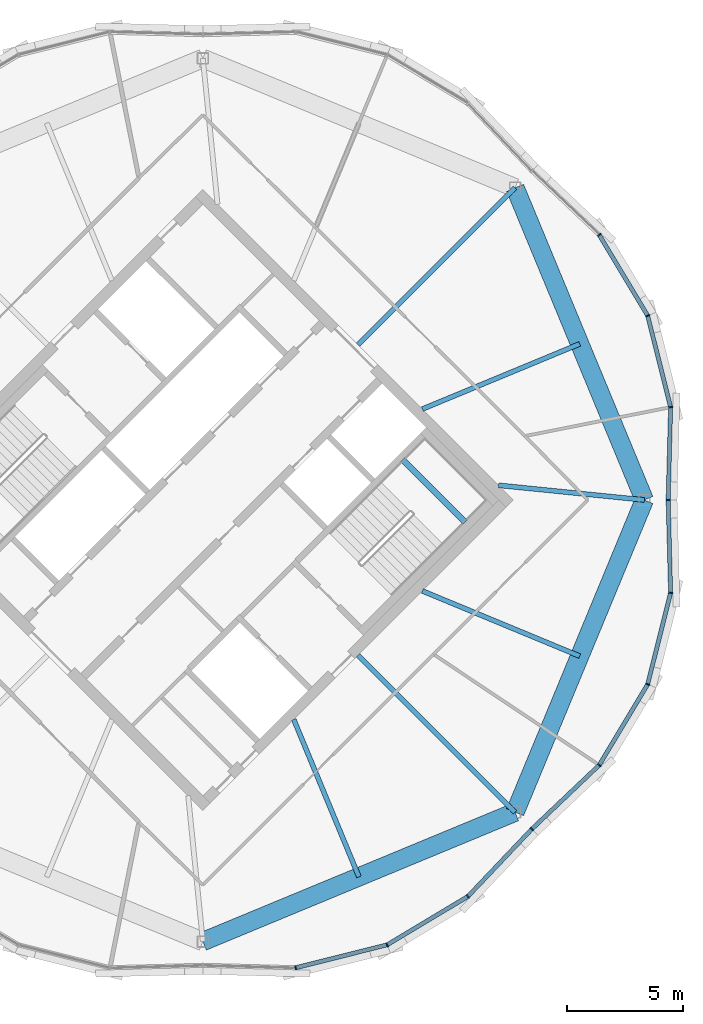
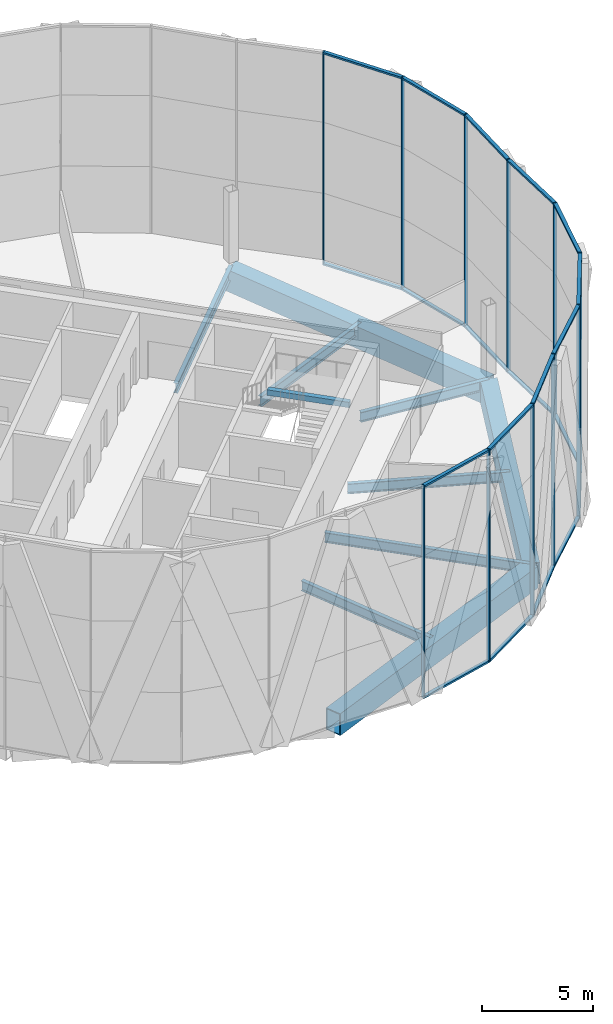
# One storey, part 10 of 22: 31 members, 10 beams, 3 elements without a shape of their own.
"""IFC4 building model written with IfcOpenShell, lengths in metres."""

from ifc_helpers import new_model, si_unit, direction, frame, origin, origin_2d, place, context, subcontext, project, spatial, rectangle, hollow_rectangle, i_section, extrude, material, material_profile, profile_set, type_object, element, aggregate, save


model = new_model("IFC4")

# Units and contexts
model_context = context("Model", 3, precision=1e-05, world=origin(), true_north=direction((0.0, 1.0)))
body_context = subcontext(model_context, "Body", "Model", "MODEL_VIEW")
ifc_project = project(units=[si_unit("LENGTHUNIT", "METRE"), si_unit("AREAUNIT", "SQUARE_METRE"), si_unit("VOLUMEUNIT", "CUBIC_METRE"), si_unit("PLANEANGLEUNIT", "RADIAN"), si_unit("MASSUNIT", "GRAM", prefix="KILO")], contexts=[model_context])

# Site, building, storey
site_placement = place(None, origin())
site = spatial("IfcSite", under=ifc_project, at=site_placement, CompositionType="ELEMENT")
building_placement = place(site_placement, origin())
building = spatial("IfcBuilding", under=site, at=building_placement, Name="Ogive Gate Towers", CompositionType="ELEMENT")
storey_placement = place(building_placement, frame((0.0, 0.0, 228.89990234375)))
storey = spatial("IfcBuildingStorey", under=building, at=storey_placement, Name="L54", CompositionType="ELEMENT", Elevation=228.89990234375)

# Beams
ifc_material_1 = material(Name="Steel SM460", Category="steel")
ifc_material_profile_1 = material_profile(ifc_material_1, hollow_rectangle(XDim=0.800048828125, YDim=1.199951171875, WallThickness=0.050048828125, at=origin_2d()), Name="BX 1200x800x50")
ifc_profile_set_1 = profile_set([ifc_material_profile_1], Name="Steel SM460")
beam_type_1 = type_object("IfcBeamType", Name="Edge girder BX 1200x800x50", PredefinedType="BEAM", material=ifc_profile_set_1)
for number, where, z_axis, x_axis, name in (
    (1, (36.0, -19.110107421875, -0.89990234375), (0.923872994947, 0.38269921506, 0.0), (-0.38269921506, 0.923872994947, 0.0), "T2/L54/SBM018"),
    (2, (49.5126953125, -13.5126953125, -0.89990234375), (0.38269921506, 0.923872994947, 0.0), (-0.923872994947, 0.38269921506, 0.0), "T2/L54/SBM019"),
    (3, (55.110107421875, 0.0, -0.89990234375), (-0.38269921506, 0.923872994947, 0.0), (-0.923872994947, -0.38269921506, 0.0), "T2/L54/SBM020"),
):
    element("IfcBeam", number, at=place(storey_placement, frame(where, z_axis=z_axis, x_axis=x_axis)), inside=storey, type_object=beam_type_1, Name=name, PredefinedType="BEAM", context=body_context, shape_type="SweptSolid", body=[
        extrude(hollow_rectangle(XDim=0.800048828125, YDim=1.199951171875, WallThickness=0.050048828125, at=origin_2d()), origin(), (0.0, 0.0, 1.0), 14.626220703125),
    ])
ifc_material_2 = material(Name="Concrete C40/50", Category="concrete")
ifc_material_profile_2 = material_profile(ifc_material_2, rectangle(XDim=0.25, YDim=0.300048828125, at=origin_2d()), Name="RC 250x300")
ifc_profile_set_2 = profile_set([ifc_material_profile_2], Name="Concrete C40/50")
beam_type_2 = type_object("IfcBeamType", Name="Landing bearer RC 250x300", PredefinedType="BEAM", material=ifc_profile_set_2)
beam_1_placement = place(storey_placement, frame((47.349609375, -0.9541015625, 1.60009765625), z_axis=(-0.707106781187, 0.707106781187, 0.0), x_axis=(-0.707106781187, -0.707106781187, 0.0)))
element("IfcBeam", 4, at=beam_1_placement, inside=storey, type_object=beam_type_2, Name="T2 L54 stair 2 landing bearer 1", PredefinedType="BEAM", context=body_context, shape_type="SweptSolid", body=[
    extrude(rectangle(XDim=0.25, YDim=0.300048828125, at=origin_2d()), origin(), (0.0, 0.0, 1.0), 3.824951171875),
])
ifc_material_3 = material(Name="Steel SM355", Category="steel")
ifc_material_profile_3 = material_profile(ifc_material_3, i_section(OverallWidth=0.2099609375, OverallDepth=0.550048828125, WebThickness=0.010986328125, FlangeThickness=0.01708984375, FilletRadius=0.02392578125, at=origin_2d()), Name="IPE 550")
ifc_profile_set_3 = profile_set([ifc_material_profile_3], Name="Steel SM355")
beam_type_3 = type_object("IfcBeamType", Name="Radial floor beam IPE 550", PredefinedType="BEAM", material=ifc_profile_set_3)
beam_2_placement = place(storey_placement, frame((39.93505859375, -9.5, -0.574951171875), z_axis=(0.382667649558, -0.923886069806, 0.0), x_axis=(0.923886069806, 0.382667649558, 0.0)))
element("IfcBeam", 5, at=beam_2_placement, inside=storey, type_object=beam_type_3, Name="T2/L54/SBM004", PredefinedType="BEAM", context=body_context, shape_type="SweptSolid", body=[
    extrude(i_section(OverallWidth=0.2099609375, OverallDepth=0.550048828125, WebThickness=0.010986328125, FlangeThickness=0.01708984375, FilletRadius=0.02392578125, at=origin_2d()), origin(), (0.0, 0.0, 1.0), 7.372802734375),
])
beam_3_placement = place(storey_placement, frame((42.717529296875, -6.717529296875, -0.574951171875), z_axis=(0.707106781187, -0.707106781187, 0.0), x_axis=(0.707106781187, 0.707106781187, 0.0)))
element("IfcBeam", 6, at=beam_3_placement, inside=storey, type_object=beam_type_3, Name="T2/L54/SBM005", PredefinedType="BEAM", context=body_context, shape_type="SweptSolid", body=[
    extrude(i_section(OverallWidth=0.2099609375, OverallDepth=0.550048828125, WebThickness=0.010986328125, FlangeThickness=0.01708984375, FilletRadius=0.02392578125, at=origin_2d()), origin(), (0.0, 0.0, 1.0), 9.60986328125),
])
beam_4_placement = place(storey_placement, frame((45.5, -3.93505859375, -0.574951171875), z_axis=(0.923886069806, -0.382667649558, 0.0), x_axis=(0.382667649558, 0.923886069806, 0.0)))
element("IfcBeam", 7, at=beam_4_placement, inside=storey, type_object=beam_type_3, Name="T2/L54/SBM006", PredefinedType="BEAM", context=body_context, shape_type="SweptSolid", body=[
    extrude(i_section(OverallWidth=0.2099609375, OverallDepth=0.550048828125, WebThickness=0.010986328125, FlangeThickness=0.01708984375, FilletRadius=0.02392578125, at=origin_2d()), origin(), (0.0, 0.0, 1.0), 7.372802734375),
])
beam_5_placement = place(storey_placement, frame((48.798583984375, 0.636474609375, -0.574951171875), z_axis=(0.994953773522, -0.100334383706, 0.0), x_axis=(0.100334383706, 0.994953773522, 0.0)))
element("IfcBeam", 8, at=beam_5_placement, inside=storey, type_object=beam_type_3, Name="T2/L54/SBM007", PredefinedType="BEAM", context=body_context, shape_type="SweptSolid", body=[
    extrude(i_section(OverallWidth=0.2099609375, OverallDepth=0.550048828125, WebThickness=0.010986328125, FlangeThickness=0.01708984375, FilletRadius=0.02392578125, at=origin_2d()), origin(), (0.0, 0.0, 1.0), 6.343505859375),
])
beam_6_placement = place(storey_placement, frame((45.5, 3.93505859375, -0.574951171875), z_axis=(0.923886069806, 0.382667649558, 0.0), x_axis=(-0.382667649558, 0.923886069806, 0.0)))
element("IfcBeam", 9, at=beam_6_placement, inside=storey, type_object=beam_type_3, Name="T2/L54/SBM008", PredefinedType="BEAM", context=body_context, shape_type="SweptSolid", body=[
    extrude(i_section(OverallWidth=0.2099609375, OverallDepth=0.550048828125, WebThickness=0.010986328125, FlangeThickness=0.01708984375, FilletRadius=0.02392578125, at=origin_2d()), origin(), (0.0, 0.0, 1.0), 7.372802734375),
])
beam_7_placement = place(storey_placement, frame((42.717529296875, 6.717529296875, -0.574951171875), z_axis=(0.707106781187, 0.707106781187, 0.0), x_axis=(-0.707106781187, 0.707106781187, 0.0)))
element("IfcBeam", 10, at=beam_7_placement, inside=storey, type_object=beam_type_3, Name="T2/L54/SBM009", PredefinedType="BEAM", context=body_context, shape_type="SweptSolid", body=[
    extrude(i_section(OverallWidth=0.2099609375, OverallDepth=0.550048828125, WebThickness=0.010986328125, FlangeThickness=0.01708984375, FilletRadius=0.02392578125, at=origin_2d()), origin(), (0.0, 0.0, 1.0), 9.60986328125),
])

# Curtain wall, members
ifc_material_4 = material(Name="Pale metal aluminium", Category="aluminium")
curtain_wall_type = type_object("IfcCurtainWallType", Name="Tower unitised wall, high zone", PredefinedType="NOTDEFINED", material=ifc_material_4)
curtain_wall_1_placement = place(storey_placement, origin())
curtain_wall_1 = element("IfcCurtainWall", 11, at=curtain_wall_1_placement, inside=storey, type_object=curtain_wall_type, Name="CW2 T2 ECW01", PredefinedType="NOTDEFINED")
ifc_material_profile_4 = material_profile(ifc_material_4, rectangle(XDim=0.179931640625, YDim=0.06005859375, at=origin_2d()), Name="60 x 180 aluminium box")
ifc_profile_set_4 = profile_set([ifc_material_profile_4], Name="Pale metal aluminium")
member_type_1 = type_object("IfcMemberType", Name="Tower unitised wall, high zone mullion 60 x 180", PredefinedType="MULLION", material=ifc_profile_set_4)
member_1_placement = place(storey_placement, frame((56.139892578125, 0.000244140625, -0.2998046875), z_axis=(0.0, 0.0, 1.0), x_axis=(0.999655952983, -0.026229290207, 0.0)))
member_1 = element("IfcMember", 12, at=member_1_placement, type_object=member_type_1, Name="CW2 mullion", PredefinedType="MULLION", context=body_context, shape_type="SweptSolid", body=[
    extrude(rectangle(XDim=0.179931640625, YDim=0.06005859375, at=origin_2d()), origin(), (0.0, 0.0, 1.0), 11.699951171875),
])
member_2_placement = place(storey_placement, frame((56.24560546875, 4.01904296875, -0.2998046875), z_axis=(0.0, 0.0, 1.0), x_axis=(0.994001108417, 0.109369998011, 0.0)))
member_2 = element("IfcMember", 13, at=member_2_placement, type_object=member_type_1, Name="CW2 mullion", PredefinedType="MULLION", context=body_context, shape_type="SweptSolid", body=[
    extrude(rectangle(XDim=0.179931640625, YDim=0.06005859375, at=origin_2d()), origin(), (0.0, 0.0, 1.0), 11.699951171875),
])
member_3_placement = place(storey_placement, frame((55.254638671875, 7.9755859375, -0.2998046875), z_axis=(0.0, 0.0, 1.0), x_axis=(0.923872853285, 0.382699557047, 0.0)))
member_3 = element("IfcMember", 14, at=member_3_placement, type_object=member_type_1, Name="CW2 mullion", PredefinedType="MULLION", context=body_context, shape_type="SweptSolid", body=[
    extrude(rectangle(XDim=0.179931640625, YDim=0.06005859375, at=origin_2d()), origin(), (0.0, 0.0, 1.0), 11.699951171875),
])
member_4_placement = place(storey_placement, frame((53.15771484375, 11.473876953125, -0.2998046875), z_axis=(0.0, 0.0, 1.0), x_axis=(0.780201191521, 0.625528657017, 0.0)))
member_4 = element("IfcMember", 15, at=member_4_placement, type_object=member_type_1, Name="CW2 mullion", PredefinedType="MULLION", context=body_context, shape_type="SweptSolid", body=[
    extrude(rectangle(XDim=0.179931640625, YDim=0.06005859375, at=origin_2d()), origin(), (0.0, 0.0, 1.0), 11.699951171875),
])

curtain_wall_2_placement = place(storey_placement, origin())
curtain_wall_2 = element("IfcCurtainWall", 16, at=curtain_wall_2_placement, inside=storey, type_object=curtain_wall_type, Name="CW2 T2 ECW07", PredefinedType="NOTDEFINED")
member_5_placement = place(storey_placement, frame((40.01904296875, -20.24560546875, -0.2998046875), z_axis=(0.0, 0.0, 1.0), x_axis=(0.109369998011, -0.994001108417, 0.0)))
member_5 = element("IfcMember", 17, at=member_5_placement, type_object=member_type_1, Name="CW2 mullion", PredefinedType="MULLION", context=body_context, shape_type="SweptSolid", body=[
    extrude(rectangle(XDim=0.179931640625, YDim=0.06005859375, at=origin_2d()), origin(), (0.0, 0.0, 1.0), 11.699951171875),
])
member_6_placement = place(storey_placement, frame((43.9755859375, -19.254638671875, -0.2998046875), z_axis=(0.0, 0.0, 1.0), x_axis=(0.382699557047, -0.923872853285, 0.0)))
member_6 = element("IfcMember", 18, at=member_6_placement, type_object=member_type_1, Name="CW2 mullion", PredefinedType="MULLION", context=body_context, shape_type="SweptSolid", body=[
    extrude(rectangle(XDim=0.179931640625, YDim=0.06005859375, at=origin_2d()), origin(), (0.0, 0.0, 1.0), 11.699951171875),
])
member_7_placement = place(storey_placement, frame((47.473876953125, -17.15771484375, -0.2998046875), z_axis=(0.0, 0.0, 1.0), x_axis=(0.625528657017, -0.780201191521, 0.0)))
member_7 = element("IfcMember", 19, at=member_7_placement, type_object=member_type_1, Name="CW2 mullion", PredefinedType="MULLION", context=body_context, shape_type="SweptSolid", body=[
    extrude(rectangle(XDim=0.179931640625, YDim=0.06005859375, at=origin_2d()), origin(), (0.0, 0.0, 1.0), 11.699951171875),
])
member_8_placement = place(storey_placement, frame((50.240966796875, -14.2412109375, -0.2998046875), z_axis=(0.0, 0.0, 1.0), x_axis=(0.725398398678, -0.688329254932, 0.0)))
member_8 = element("IfcMember", 20, at=member_8_placement, type_object=member_type_1, Name="CW2 mullion", PredefinedType="MULLION", context=body_context, shape_type="SweptSolid", body=[
    extrude(rectangle(XDim=0.179931640625, YDim=0.06005859375, at=origin_2d()), origin(), (0.0, 0.0, 1.0), 11.699951171875),
])

curtain_wall_3_placement = place(storey_placement, origin())
curtain_wall_3 = element("IfcCurtainWall", 21, at=curtain_wall_3_placement, inside=storey, type_object=curtain_wall_type, Name="CW2 T2 ECW08", PredefinedType="NOTDEFINED")
member_9_placement = place(storey_placement, frame((53.15771484375, -11.473876953125, -0.2998046875), z_axis=(0.0, 0.0, 1.0), x_axis=(0.780201191521, -0.625528657017, 0.0)))
member_9 = element("IfcMember", 22, at=member_9_placement, type_object=member_type_1, Name="CW2 mullion", PredefinedType="MULLION", context=body_context, shape_type="SweptSolid", body=[
    extrude(rectangle(XDim=0.179931640625, YDim=0.06005859375, at=origin_2d()), origin(), (0.0, 0.0, 1.0), 11.699951171875),
])
member_10_placement = place(storey_placement, frame((55.254638671875, -7.9755859375, -0.2998046875), z_axis=(0.0, 0.0, 1.0), x_axis=(0.923872853285, -0.382699557047, 0.0)))
member_10 = element("IfcMember", 23, at=member_10_placement, type_object=member_type_1, Name="CW2 mullion", PredefinedType="MULLION", context=body_context, shape_type="SweptSolid", body=[
    extrude(rectangle(XDim=0.179931640625, YDim=0.06005859375, at=origin_2d()), origin(), (0.0, 0.0, 1.0), 11.699951171875),
])
member_11_placement = place(storey_placement, frame((56.24560546875, -4.01904296875, -0.2998046875), z_axis=(0.0, 0.0, 1.0), x_axis=(0.994001108417, -0.109369998011, 0.0)))
member_11 = element("IfcMember", 24, at=member_11_placement, type_object=member_type_1, Name="CW2 mullion", PredefinedType="MULLION", context=body_context, shape_type="SweptSolid", body=[
    extrude(rectangle(XDim=0.179931640625, YDim=0.06005859375, at=origin_2d()), origin(), (0.0, 0.0, 1.0), 11.699951171875),
])

# Member
ifc_material_profile_5 = material_profile(ifc_material_4, rectangle(XDim=0.179931640625, YDim=0.10009765625, at=origin_2d()), Name="100 x 180 aluminium box")
ifc_profile_set_5 = profile_set([ifc_material_profile_5], Name="Pale metal aluminium")
member_type_2 = type_object("IfcMemberType", Name="Tower unitised wall, high zone transom 100 x 180", PredefinedType="USERDEFINED", material=ifc_profile_set_5)
member_12_placement = place(storey_placement, frame((56.140869140625, 0.0302734375, 11.35009765625), z_axis=(0.026191615796, 0.999656940786, 0.0), x_axis=(-0.999656940786, 0.026191615796, 0.0)))
member_12 = element("IfcMember", 25, at=member_12_placement, type_object=member_type_2, Name="CW2 transom", ObjectType="TRANSOM", PredefinedType="USERDEFINED", context=body_context, shape_type="SweptSolid", body=[
    extrude(rectangle(XDim=0.179931640625, YDim=0.10009765625, at=origin_2d()), origin(), (0.0, 0.0, 1.0), 3.961669921875),
])

member_13_placement = place(storey_placement, frame((56.140869140625, 0.0302734375, -0.25), z_axis=(0.026191615796, 0.999656940786, 0.0), x_axis=(-0.999656940786, 0.026191615796, 0.0)))
member_13 = element("IfcMember", 26, at=member_13_placement, type_object=member_type_2, Name="CW2 transom", ObjectType="TRANSOM", PredefinedType="USERDEFINED", context=body_context, shape_type="SweptSolid", body=[
    extrude(rectangle(XDim=0.179931640625, YDim=0.10009765625, at=origin_2d()), origin(), (0.0, 0.0, 1.0), 3.961669921875),
])

member_14_placement = place(storey_placement, frame((56.238525390625, 4.046875, 11.35009765625), z_axis=(-0.242949839653, 0.970038852527, 0.0), x_axis=(-0.970038852527, -0.242949839653, 0.0)))
member_14 = element("IfcMember", 27, at=member_14_placement, type_object=member_type_2, Name="CW2 transom", ObjectType="TRANSOM", PredefinedType="USERDEFINED", context=body_context, shape_type="SweptSolid", body=[
    extrude(rectangle(XDim=0.179931640625, YDim=0.10009765625, at=origin_2d()), origin(), (0.0, 0.0, 1.0), 4.021728515625),
])

member_15_placement = place(storey_placement, frame((56.238525390625, 4.046875, -0.25), z_axis=(-0.242949839653, 0.970038852527, 0.0), x_axis=(-0.970038852527, -0.242949839653, 0.0)))
member_15 = element("IfcMember", 28, at=member_15_placement, type_object=member_type_2, Name="CW2 transom", ObjectType="TRANSOM", PredefinedType="USERDEFINED", context=body_context, shape_type="SweptSolid", body=[
    extrude(rectangle(XDim=0.179931640625, YDim=0.10009765625, at=origin_2d()), origin(), (0.0, 0.0, 1.0), 4.021728515625),
])

member_16_placement = place(storey_placement, frame((55.239990234375, 8.0, 11.35009765625), z_axis=(-0.514192185894, 0.857674994369, 0.0), x_axis=(-0.857674994369, -0.514192185894, 0.0)))
member_16 = element("IfcMember", 29, at=member_16_placement, type_object=member_type_2, Name="CW2 transom", ObjectType="TRANSOM", PredefinedType="USERDEFINED", context=body_context, shape_type="SweptSolid", body=[
    extrude(rectangle(XDim=0.179931640625, YDim=0.10009765625, at=origin_2d()), origin(), (0.0, 0.0, 1.0), 4.021484375),
])

member_17_placement = place(storey_placement, frame((55.239990234375, 8.0, -0.25), z_axis=(-0.514192185894, 0.857674994369, 0.0), x_axis=(-0.857674994369, -0.514192185894, 0.0)))
member_17 = element("IfcMember", 30, at=member_17_placement, type_object=member_type_2, Name="CW2 transom", ObjectType="TRANSOM", PredefinedType="USERDEFINED", context=body_context, shape_type="SweptSolid", body=[
    extrude(rectangle(XDim=0.179931640625, YDim=0.10009765625, at=origin_2d()), origin(), (0.0, 0.0, 1.0), 4.021484375),
])

aggregate(curtain_wall_1, [member_1, member_2, member_12, member_13, member_3, member_14, member_15, member_4, member_16, member_17])

member_18_placement = place(storey_placement, frame((40.046875, -20.238525390625, 11.35009765625), z_axis=(0.970038852527, 0.242949839653, 0.0), x_axis=(-0.242949839653, 0.970038852527, 0.0)))
member_18 = element("IfcMember", 31, at=member_18_placement, type_object=member_type_2, Name="CW2 transom", ObjectType="TRANSOM", PredefinedType="USERDEFINED", context=body_context, shape_type="SweptSolid", body=[
    extrude(rectangle(XDim=0.179931640625, YDim=0.10009765625, at=origin_2d()), origin(), (0.0, 0.0, 1.0), 4.021728515625),
])

member_19_placement = place(storey_placement, frame((40.046875, -20.238525390625, -0.25), z_axis=(0.970038852527, 0.242949839653, 0.0), x_axis=(-0.242949839653, 0.970038852527, 0.0)))
member_19 = element("IfcMember", 32, at=member_19_placement, type_object=member_type_2, Name="CW2 transom", ObjectType="TRANSOM", PredefinedType="USERDEFINED", context=body_context, shape_type="SweptSolid", body=[
    extrude(rectangle(XDim=0.179931640625, YDim=0.10009765625, at=origin_2d()), origin(), (0.0, 0.0, 1.0), 4.021728515625),
])

member_20_placement = place(storey_placement, frame((44.0, -19.239990234375, 11.35009765625), z_axis=(0.857674994369, 0.514192185894, 0.0), x_axis=(-0.514192185894, 0.857674994369, 0.0)))
member_20 = element("IfcMember", 33, at=member_20_placement, type_object=member_type_2, Name="CW2 transom", ObjectType="TRANSOM", PredefinedType="USERDEFINED", context=body_context, shape_type="SweptSolid", body=[
    extrude(rectangle(XDim=0.179931640625, YDim=0.10009765625, at=origin_2d()), origin(), (0.0, 0.0, 1.0), 4.021484375),
])

member_21_placement = place(storey_placement, frame((44.0, -19.239990234375, -0.25), z_axis=(0.857674994369, 0.514192185894, 0.0), x_axis=(-0.514192185894, 0.857674994369, 0.0)))
member_21 = element("IfcMember", 34, at=member_21_placement, type_object=member_type_2, Name="CW2 transom", ObjectType="TRANSOM", PredefinedType="USERDEFINED", context=body_context, shape_type="SweptSolid", body=[
    extrude(rectangle(XDim=0.179931640625, YDim=0.10009765625, at=origin_2d()), origin(), (0.0, 0.0, 1.0), 4.021484375),
])

member_22_placement = place(storey_placement, frame((47.493408203125, -17.13671875, 11.35009765625), z_axis=(0.688344427375, 0.725384001272, 0.0), x_axis=(-0.725384001272, 0.688344427375, 0.0)))
member_22 = element("IfcMember", 35, at=member_22_placement, type_object=member_type_2, Name="CW2 transom", ObjectType="TRANSOM", PredefinedType="USERDEFINED", context=body_context, shape_type="SweptSolid", body=[
    extrude(rectangle(XDim=0.179931640625, YDim=0.10009765625, at=origin_2d()), origin(), (0.0, 0.0, 1.0), 3.96142578125),
])

member_23_placement = place(storey_placement, frame((47.493408203125, -17.13671875, -0.25), z_axis=(0.688344427375, 0.725384001272, 0.0), x_axis=(-0.725384001272, 0.688344427375, 0.0)))
member_23 = element("IfcMember", 36, at=member_23_placement, type_object=member_type_2, Name="CW2 transom", ObjectType="TRANSOM", PredefinedType="USERDEFINED", context=body_context, shape_type="SweptSolid", body=[
    extrude(rectangle(XDim=0.179931640625, YDim=0.10009765625, at=origin_2d()), origin(), (0.0, 0.0, 1.0), 3.96142578125),
])

aggregate(curtain_wall_2, [member_5, member_6, member_18, member_19, member_7, member_20, member_21, member_8, member_22, member_23])

member_24_placement = place(storey_placement, frame((50.26318359375, -14.22021484375, 11.35009765625), z_axis=(0.725384001272, 0.688344427375, 0.0), x_axis=(-0.688344427375, 0.725384001272, 0.0)))
member_24 = element("IfcMember", 37, at=member_24_placement, type_object=member_type_2, Name="CW2 transom", ObjectType="TRANSOM", PredefinedType="USERDEFINED", context=body_context, shape_type="SweptSolid", body=[
    extrude(rectangle(XDim=0.179931640625, YDim=0.10009765625, at=origin_2d()), origin(), (0.0, 0.0, 1.0), 3.96142578125),
])

member_25_placement = place(storey_placement, frame((50.26318359375, -14.22021484375, -0.25), z_axis=(0.725384001272, 0.688344427375, 0.0), x_axis=(-0.688344427375, 0.725384001272, 0.0)))
member_25 = element("IfcMember", 38, at=member_25_placement, type_object=member_type_2, Name="CW2 transom", ObjectType="TRANSOM", PredefinedType="USERDEFINED", context=body_context, shape_type="SweptSolid", body=[
    extrude(rectangle(XDim=0.179931640625, YDim=0.10009765625, at=origin_2d()), origin(), (0.0, 0.0, 1.0), 3.96142578125),
])

member_26_placement = place(storey_placement, frame((53.172119140625, -11.44921875, 11.35009765625), z_axis=(0.514192185894, 0.857674994369, 0.0), x_axis=(-0.857674994369, 0.514192185894, 0.0)))
member_26 = element("IfcMember", 39, at=member_26_placement, type_object=member_type_2, Name="CW2 transom", ObjectType="TRANSOM", PredefinedType="USERDEFINED", context=body_context, shape_type="SweptSolid", body=[
    extrude(rectangle(XDim=0.179931640625, YDim=0.10009765625, at=origin_2d()), origin(), (0.0, 0.0, 1.0), 4.021484375),
])

member_27_placement = place(storey_placement, frame((53.172119140625, -11.44921875, -0.25), z_axis=(0.514192185894, 0.857674994369, 0.0), x_axis=(-0.857674994369, 0.514192185894, 0.0)))
member_27 = element("IfcMember", 40, at=member_27_placement, type_object=member_type_2, Name="CW2 transom", ObjectType="TRANSOM", PredefinedType="USERDEFINED", context=body_context, shape_type="SweptSolid", body=[
    extrude(rectangle(XDim=0.179931640625, YDim=0.10009765625, at=origin_2d()), origin(), (0.0, 0.0, 1.0), 4.021484375),
])

member_28_placement = place(storey_placement, frame((55.261474609375, -7.947998046875, 11.35009765625), z_axis=(0.242949839653, 0.970038852527, 0.0), x_axis=(-0.970038852527, 0.242949839653, 0.0)))
member_28 = element("IfcMember", 41, at=member_28_placement, type_object=member_type_2, Name="CW2 transom", ObjectType="TRANSOM", PredefinedType="USERDEFINED", context=body_context, shape_type="SweptSolid", body=[
    extrude(rectangle(XDim=0.179931640625, YDim=0.10009765625, at=origin_2d()), origin(), (0.0, 0.0, 1.0), 4.021728515625),
])

member_29_placement = place(storey_placement, frame((55.261474609375, -7.947998046875, -0.25), z_axis=(0.242949839653, 0.970038852527, 0.0), x_axis=(-0.970038852527, 0.242949839653, 0.0)))
member_29 = element("IfcMember", 42, at=member_29_placement, type_object=member_type_2, Name="CW2 transom", ObjectType="TRANSOM", PredefinedType="USERDEFINED", context=body_context, shape_type="SweptSolid", body=[
    extrude(rectangle(XDim=0.179931640625, YDim=0.10009765625, at=origin_2d()), origin(), (0.0, 0.0, 1.0), 4.021728515625),
])

member_30_placement = place(storey_placement, frame((56.24462890625, -3.990478515625, 11.35009765625), z_axis=(-0.026191615796, 0.999656940786, 0.0), x_axis=(-0.999656940786, -0.026191615796, 0.0)))
member_30 = element("IfcMember", 43, at=member_30_placement, type_object=member_type_2, Name="CW2 transom", ObjectType="TRANSOM", PredefinedType="USERDEFINED", context=body_context, shape_type="SweptSolid", body=[
    extrude(rectangle(XDim=0.179931640625, YDim=0.10009765625, at=origin_2d()), origin(), (0.0, 0.0, 1.0), 3.961669921875),
])

member_31_placement = place(storey_placement, frame((56.24462890625, -3.990478515625, -0.25), z_axis=(-0.026191615796, 0.999656940786, 0.0), x_axis=(-0.999656940786, -0.026191615796, 0.0)))
member_31 = element("IfcMember", 44, at=member_31_placement, type_object=member_type_2, Name="CW2 transom", ObjectType="TRANSOM", PredefinedType="USERDEFINED", context=body_context, shape_type="SweptSolid", body=[
    extrude(rectangle(XDim=0.179931640625, YDim=0.10009765625, at=origin_2d()), origin(), (0.0, 0.0, 1.0), 3.961669921875),
])

aggregate(curtain_wall_3, [member_9, member_24, member_25, member_10, member_26, member_27, member_11, member_28, member_29, member_30, member_31])

save(model, "model.ifc")
